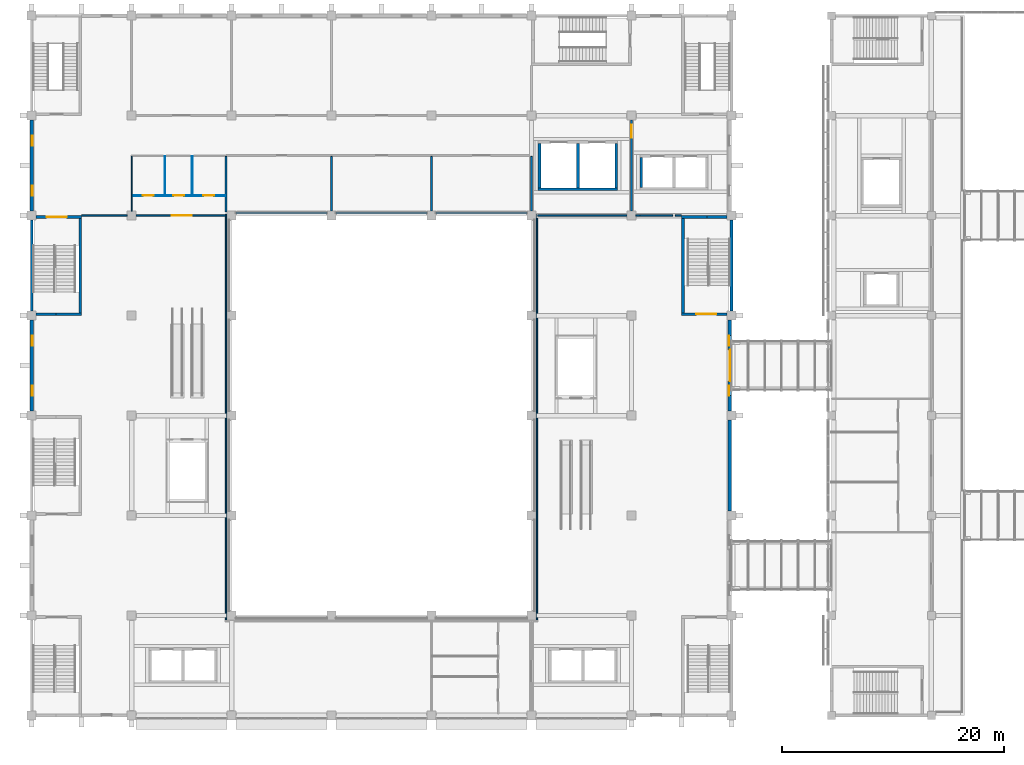
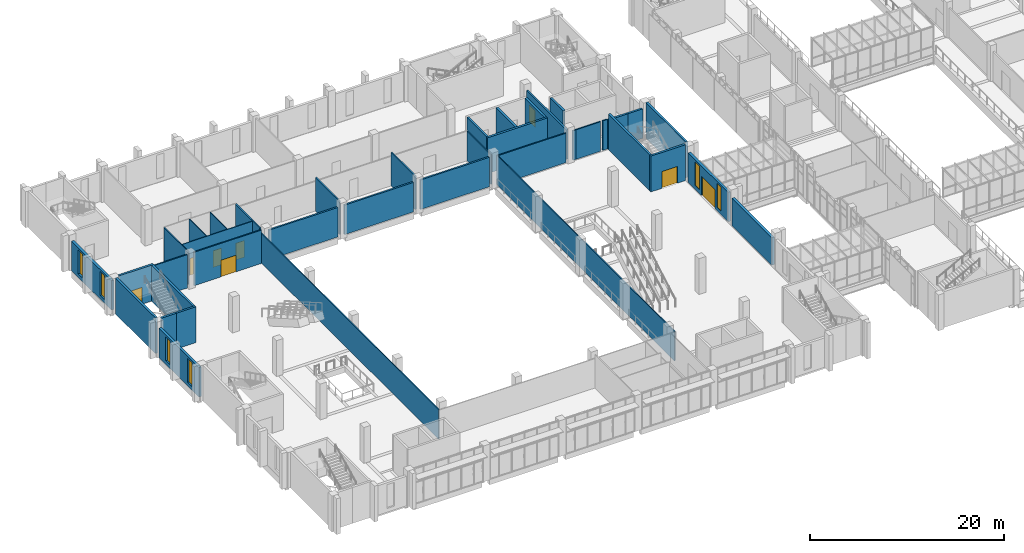
# One storey, part 72 of 106: 39 walls, 8 doors, 6 windows, 14 openings.
"""IFC4 building model written with IfcOpenShell, lengths in metres."""

from ifc_helpers import new_model, si_unit, direction, frame, frame_2d, origin, place, context, subcontext, project, spatial, rectangle, extrude, material, layer, layer_set, type_object, element, fill, save


model = new_model("IFC4")

# Units and contexts
model_context = context("Model", 3, precision=1e-05, world=origin(), true_north=direction((0.0, 1.0)))
body_context = subcontext(model_context, "Body", "Model", "MODEL_VIEW")
ifc_project = project(units=[si_unit("LENGTHUNIT", "METRE"), si_unit("AREAUNIT", "SQUARE_METRE"), si_unit("VOLUMEUNIT", "CUBIC_METRE"), si_unit("PLANEANGLEUNIT", "RADIAN"), si_unit("MASSUNIT", "GRAM", prefix="KILO")], contexts=[model_context])

# Site, building, storey
site_placement = place(None, origin())
site = spatial("IfcSite", under=ifc_project, at=site_placement, CompositionType="ELEMENT")
building_placement = place(site_placement, origin())
building = spatial("IfcBuilding", under=site, at=building_placement, Name="Guidao Yard Department Store", CompositionType="ELEMENT")
storey_placement = place(building_placement, frame((0.0, 0.0, 10.5)))
storey = spatial("IfcBuildingStorey", under=building, at=storey_placement, Name="L02", CompositionType="ELEMENT", Elevation=10.5)

# Wall, openings, doors
ifc_material_1 = material(Name="Moisture-resistant board on Steel Q235 studs", Category="steel")
ifc_layer_1 = layer(ifc_material_1, 0.080078125)
ifc_layer_set_1 = layer_set([ifc_layer_1], Name="Cubicle and Duct Partition P8 80 mm moisture-resistant board")
wall_type_1 = type_object("IfcWallType", Name="Cubicle and Duct Partition P8 80 mm moisture-resistant board", PredefinedType="PARTITIONING", material=ifc_layer_set_1)
wall_1_placement = place(storey_placement, frame((9.050048828125, 91.800048828125, 0.0), z_axis=(0.0, 0.0, 1.0), x_axis=(1.0, 0.0, 0.0)))
wall_1 = element("IfcWall", 1, at=wall_1_placement, inside=storey, type_object=wall_type_1, Name="Wall W-HL02-024", PredefinedType="PARTITIONING", context=body_context, shape_type="SweptSolid", body=[
    extrude(rectangle(XDim=8.375, YDim=0.080078125, at=frame_2d((4.1875, 0.0))), origin(), (0.0, 0.0, 1.0), 4.199951171875),
])
opening_1_placement = place(wall_1_placement, frame((0.949951171875, 0.0, 0.0)))
opening_1 = element("IfcOpeningElement", 2, at=opening_1_placement, cuts=wall_1, Name="Opening HL02-006", PredefinedType="OPENING", context=body_context, shape_type="SweptSolid", body=[
    extrude(rectangle(XDim=1.0, YDim=2.10009765625, at=frame_2d((0.5, 1.050048828125))), frame((0.0, 0.050048828125, 0.0), z_axis=(0.0, -1.0, 0.0), x_axis=(1.0, 0.0, 0.0)), (0.0, 0.0, 1.0), 0.10009765625),
])
opening_2_placement = place(wall_1_placement, frame((3.675048828125, 0.0, 0.0)))
opening_2 = element("IfcOpeningElement", 3, at=opening_2_placement, cuts=wall_1, Name="Opening HL02-007", PredefinedType="OPENING", context=body_context, shape_type="SweptSolid", body=[
    extrude(rectangle(XDim=1.0, YDim=2.10009765625, at=frame_2d((0.5, 1.050048828125))), frame((0.0, 0.050048828125, 0.0), z_axis=(0.0, -1.0, 0.0), x_axis=(1.0, 0.0, 0.0)), (0.0, 0.0, 1.0), 0.10009765625),
])
opening_3_placement = place(wall_1_placement, frame((6.39990234375, 0.0, 0.0)))
opening_3 = element("IfcOpeningElement", 4, at=opening_3_placement, cuts=wall_1, Name="Opening HL02-008", PredefinedType="OPENING", context=body_context, shape_type="SweptSolid", body=[
    extrude(rectangle(XDim=1.0, YDim=2.10009765625, at=frame_2d((0.5, 1.050048828125))), frame((0.0, 0.050048828125, 0.0), z_axis=(0.0, -1.0, 0.0), x_axis=(1.0, 0.0, 0.0)), (0.0, 0.0, 1.0), 0.10009765625),
])
ifc_material_2 = material(Name="Timber door leaf", Category="wood")
door_type_1 = type_object("IfcDoorType", Name="Door AD10 accessible WC 1000 x 2100", OperationType="SINGLE_SWING_LEFT", PredefinedType="DOOR", material=ifc_material_2)
door_1_placement = place(opening_2_placement, origin())
door_1 = element("IfcDoor", 5, at=door_1_placement, inside=storey, type_object=door_type_1, Name="Door HL02-007", OperationType="SINGLE_SWING_RIGHT", OverallHeight=2.10009765625, OverallWidth=1.0, PredefinedType="DOOR", context=body_context, shape_type="SweptSolid", body=[
    extrude(rectangle(XDim=1.0, YDim=2.10009765625, at=frame_2d((0.5, 1.050048828125))), frame((0.0, 0.02490234375, 0.0), z_axis=(0.0, -1.0, 0.0), x_axis=(1.0, 0.0, 0.0)), (0.0, 0.0, 1.0), 0.050048828125),
])
fill(opening_2, door_1)
ifc_material_3 = material(Name="Timber door leaf", Category="wood")
door_type_2 = type_object("IfcDoorType", Name="Door D2 1000 x 2100", OperationType="SINGLE_SWING_LEFT", PredefinedType="DOOR", material=ifc_material_3)
door_2_placement = place(opening_1_placement, origin())
door_2 = element("IfcDoor", 6, at=door_2_placement, inside=storey, type_object=door_type_2, Name="Door HL02-006", OperationType="SINGLE_SWING_LEFT", OverallHeight=2.10009765625, OverallWidth=1.0, PredefinedType="DOOR", context=body_context, shape_type="SweptSolid", body=[
    extrude(rectangle(XDim=1.0, YDim=2.10009765625, at=frame_2d((0.5, 1.050048828125))), frame((0.0, 0.02490234375, 0.0), z_axis=(0.0, -1.0, 0.0), x_axis=(1.0, 0.0, 0.0)), (0.0, 0.0, 1.0), 0.050048828125),
])
fill(opening_1, door_2)
door_3_placement = place(opening_3_placement, origin())
door_3 = element("IfcDoor", 7, at=door_3_placement, inside=storey, type_object=door_type_2, Name="Door HL02-008", OperationType="SINGLE_SWING_RIGHT", OverallHeight=2.10009765625, OverallWidth=1.0, PredefinedType="DOOR", context=body_context, shape_type="SweptSolid", body=[
    extrude(rectangle(XDim=1.0, YDim=2.10009765625, at=frame_2d((0.5, 1.050048828125))), frame((0.0, 0.02490234375, 0.0), z_axis=(0.0, -1.0, 0.0), x_axis=(1.0, 0.0, 0.0)), (0.0, 0.0, 1.0), 0.050048828125),
])
fill(opening_3, door_3)

# Walls
for number, where, z_axis, x_axis, name in (
    (8, (12.0, 91.840087890625, 0.0), (0.0, 0.0, 1.0), (0.0, 1.0, 0.0), "Wall W-HL02-025"),
    (9, (14.449951171875, 91.840087890625, 0.0), (0.0, 0.0, 1.0), (0.0, 1.0, 0.0), "Wall W-HL02-026"),
):
    element("IfcWall", number, at=place(storey_placement, frame(where, z_axis=z_axis, x_axis=x_axis)), inside=storey, type_object=wall_type_1, Name=name, PredefinedType="PARTITIONING", context=body_context, shape_type="SweptSolid", body=[
        extrude(rectangle(XDim=3.510009765625, YDim=0.080078125, at=frame_2d((1.7548828125, 0.0))), origin(), (0.0, 0.0, 1.0), 4.199951171875),
    ])
ifc_material_4 = material(Name="Concrete block MU10", Category="concrete")
ifc_layer_2 = layer(ifc_material_4, 0.199951171875)
ifc_layer_set_2 = layer_set([ifc_layer_2], Name="Fire Wall P3 200 mm blockwork EI 120")
wall_type_2 = type_object("IfcWallType", Name="Fire Wall P3 200 mm blockwork EI 120", PredefinedType="PARTITIONING", material=ifc_layer_set_2)
for number, where, z_axis, x_axis, name in (
    (10, (18.39990234375, 90.22509765625, 0.0), (0.0, 0.0, 1.0), (1.0, 0.0, 0.0), "Wall W-HL02-015"),
    (11, (27.39990234375, 90.22509765625, 0.0), (0.0, 0.0, 1.0), (1.0, 0.0, 0.0), "Wall W-HL02-016"),
    (12, (36.39990234375, 90.22509765625, 0.0), (0.0, 0.0, 1.0), (1.0, 0.0, 0.0), "Wall W-HL02-017"),
):
    element("IfcWall", number, at=place(storey_placement, frame(where, z_axis=z_axis, x_axis=x_axis)), inside=storey, type_object=wall_type_2, Name=name, PredefinedType="PARTITIONING", context=body_context, shape_type="SweptSolid", body=[
        extrude(rectangle(XDim=8.2001953125, YDim=0.199951171875, at=frame_2d((4.10009765625, 0.0))), origin(), (0.0, 0.0, 1.0), 3.699951171875),
    ])

# Wall, opening, door
wall_2_placement = place(storey_placement, frame((54.0, 90.39990234375, 0.0), z_axis=(0.0, 0.0, 1.0), x_axis=(0.0, 1.0, 0.0)))
wall_2 = element("IfcWall", 13, at=wall_2_placement, inside=storey, type_object=wall_type_2, Name="Wall W-HL02-023", PredefinedType="PARTITIONING", context=body_context, shape_type="SweptSolid", body=[
    extrude(rectangle(XDim=8.2001953125, YDim=0.199951171875, at=frame_2d((4.10009765625, 0.0))), origin(), (0.0, 0.0, 1.0), 3.699951171875),
])
opening_4_placement = place(wall_2_placement, frame((7.800048828125, 0.0, 0.0), z_axis=(0.0, 0.0, 1.0), x_axis=(-1.0, 0.0, 0.0)))
opening_4 = element("IfcOpeningElement", 14, at=opening_4_placement, cuts=wall_2, Name="Opening HL02-012", PredefinedType="OPENING", context=body_context, shape_type="SweptSolid", body=[
    extrude(rectangle(XDim=1.199951171875, YDim=2.10009765625, at=frame_2d((0.60009765625, 1.050048828125))), frame((0.0, 0.10986328125, 0.0), z_axis=(0.0, -1.0, 0.0), x_axis=(1.0, 0.0, 0.0)), (0.0, 0.0, 1.0), 0.219970703125),
])
ifc_material_5 = material(Name="Steel Q235", Category="steel")
door_type_3 = type_object("IfcDoorType", Name="Door FD21 lobby 1200 x 2100 FD90 self-closing", OperationType="SINGLE_SWING_LEFT", PredefinedType="DOOR", material=ifc_material_5)
door_4_placement = place(opening_4_placement, origin())
door_4 = element("IfcDoor", 15, at=door_4_placement, inside=storey, type_object=door_type_3, Name="Door HL02-012", OperationType="SINGLE_SWING_LEFT", OverallHeight=2.10009765625, OverallWidth=1.199951171875, PredefinedType="DOOR", context=body_context, shape_type="SweptSolid", body=[
    extrude(rectangle(XDim=1.199951171875, YDim=2.10009765625, at=frame_2d((0.60009765625, 1.050048828125))), frame((0.0, 0.02490234375, 0.0), z_axis=(0.0, -1.0, 0.0), x_axis=(1.0, 0.0, 0.0)), (0.0, 0.0, 1.0), 0.050048828125),
])
fill(opening_4, door_4)

# Walls
ifc_material_6 = material(Name="Fire-rated glazing in Steel Q235 frame", Category="steel")
ifc_layer_3 = layer(ifc_material_6, 0.1201171875)
ifc_layer_set_3 = layer_set([ifc_layer_3], Name="Fire-Glazed Screen P5 120 mm EI 60")
wall_type_3 = type_object("IfcWallType", Name="Fire-Glazed Screen P5 120 mm EI 60", PredefinedType="PARTITIONING", material=ifc_layer_set_3)
for number, where, z_axis, x_axis, name in (
    (16, (17.5, 53.56005859375, 0.0), (0.0, 0.0, 1.0), (0.0, 1.0, 0.0), "Wall W-HL02-007"),
    (17, (45.5, 53.56005859375, 0.0), (0.0, 0.0, 1.0), (0.0, 1.0, 0.0), "Wall W-HL02-008"),
):
    element("IfcWall", number, at=place(storey_placement, frame(where, z_axis=z_axis, x_axis=x_axis)), inside=storey, type_object=wall_type_3, Name=name, PredefinedType="PARTITIONING", context=body_context, shape_type="SweptSolid", body=[
        extrude(rectangle(XDim=36.56494140625, YDim=0.1201171875, at=frame_2d((18.282470703125, 0.0))), origin(), (0.0, 0.0, 1.0), 3.699951171875),
    ])

# Wall, openings, windows
ifc_material_7 = material(Name="Concrete C35", Category="concrete")
ifc_layer_4 = layer(ifc_material_7, 0.300048828125)
ifc_layer_set_4 = layer_set([ifc_layer_4], Name="Hall facade wall 300 C35")
wall_type_4 = type_object("IfcWallType", Name="Hall facade wall 300 C35", PredefinedType="SOLIDWALL", material=ifc_layer_set_4)
wall_3_placement = place(storey_placement, frame((0.0, 72.39990234375, 0.0), z_axis=(0.0, 0.0, 1.0), x_axis=(0.0, 1.0, 0.0)))
wall_3 = element("IfcWall", 18, at=wall_3_placement, inside=storey, type_object=wall_type_4, Name="Hall facade wall", PredefinedType="SOLIDWALL", context=body_context, shape_type="SweptSolid", body=[
    extrude(rectangle(XDim=8.2001953125, YDim=0.300048828125, at=frame_2d((4.10009765625, 0.0))), origin(), (0.0, 0.0, 1.0), 3.699951171875),
])
opening_5_placement = place(wall_3_placement, frame((1.39990234375, 0.0, 0.449951171875)))
opening_5 = element("IfcOpeningElement", 19, at=opening_5_placement, cuts=wall_3, Name="Opening WN-L02-E05", PredefinedType="OPENING", context=body_context, shape_type="SweptSolid", body=[
    extrude(rectangle(XDim=0.89990234375, YDim=3.0, at=frame_2d((0.449951171875, 1.5))), frame((0.0, 0.159912109375, 0.0), z_axis=(0.0, -1.0, 0.0), x_axis=(1.0, 0.0, 0.0)), (0.0, 0.0, 1.0), 0.320068359375),
])
opening_6_placement = place(wall_3_placement, frame((5.89990234375, 0.0, 0.449951171875)))
opening_6 = element("IfcOpeningElement", 20, at=opening_6_placement, cuts=wall_3, Name="Opening WN-L02-E06", PredefinedType="OPENING", context=body_context, shape_type="SweptSolid", body=[
    extrude(rectangle(XDim=0.89990234375, YDim=3.0, at=frame_2d((0.449951171875, 1.5))), frame((0.0, 0.159912109375, 0.0), z_axis=(0.0, -1.0, 0.0), x_axis=(1.0, 0.0, 0.0)), (0.0, 0.0, 1.0), 0.320068359375),
])
ifc_material_8 = material(Name="Laminated glass in aluminium frame", Category="aluminium")
window_type = type_object("IfcWindowType", Name="Slot window SL1 900 x 3000 fixed", PartitioningType="SINGLE_PANEL", PredefinedType="WINDOW", material=ifc_material_8)
window_1_placement = place(opening_5_placement, origin())
window_1 = element("IfcWindow", 21, at=window_1_placement, inside=storey, type_object=window_type, Name="Slot window", OverallHeight=3.0, OverallWidth=0.89990234375, PartitioningType="SINGLE_PANEL", PredefinedType="WINDOW", context=body_context, shape_type="SweptSolid", body=[
    extrude(rectangle(XDim=0.89990234375, YDim=3.0, at=frame_2d((0.449951171875, 1.5))), frame((0.0, -0.030029296875, 0.0), z_axis=(0.0, -1.0, 0.0), x_axis=(1.0, 0.0, 0.0)), (0.0, 0.0, 1.0), 0.06005859375),
])
fill(opening_5, window_1)
window_2_placement = place(opening_6_placement, origin())
window_2 = element("IfcWindow", 22, at=window_2_placement, inside=storey, type_object=window_type, Name="Slot window", OverallHeight=3.0, OverallWidth=0.89990234375, PartitioningType="SINGLE_PANEL", PredefinedType="WINDOW", context=body_context, shape_type="SweptSolid", body=[
    extrude(rectangle(XDim=0.89990234375, YDim=3.0, at=frame_2d((0.449951171875, 1.5))), frame((0.0, -0.030029296875, 0.0), z_axis=(0.0, -1.0, 0.0), x_axis=(1.0, 0.0, 0.0)), (0.0, 0.0, 1.0), 0.06005859375),
])
fill(opening_6, window_2)

wall_4_placement = place(storey_placement, frame((0.0, 90.39990234375, 0.0), z_axis=(0.0, 0.0, 1.0), x_axis=(0.0, 1.0, 0.0)))
wall_4 = element("IfcWall", 23, at=wall_4_placement, inside=storey, type_object=wall_type_4, Name="Hall facade wall", PredefinedType="SOLIDWALL", context=body_context, shape_type="SweptSolid", body=[
    extrude(rectangle(XDim=8.2001953125, YDim=0.300048828125, at=frame_2d((4.10009765625, 0.0))), origin(), (0.0, 0.0, 1.0), 3.699951171875),
])
opening_7_placement = place(wall_4_placement, frame((1.39990234375, 0.0, 0.449951171875)))
opening_7 = element("IfcOpeningElement", 24, at=opening_7_placement, cuts=wall_4, Name="Opening WN-L02-E07", PredefinedType="OPENING", context=body_context, shape_type="SweptSolid", body=[
    extrude(rectangle(XDim=0.89990234375, YDim=3.0, at=frame_2d((0.449951171875, 1.5))), frame((0.0, 0.159912109375, 0.0), z_axis=(0.0, -1.0, 0.0), x_axis=(1.0, 0.0, 0.0)), (0.0, 0.0, 1.0), 0.320068359375),
])
opening_8_placement = place(wall_4_placement, frame((5.89990234375, 0.0, 0.449951171875)))
opening_8 = element("IfcOpeningElement", 25, at=opening_8_placement, cuts=wall_4, Name="Opening WN-L02-E08", PredefinedType="OPENING", context=body_context, shape_type="SweptSolid", body=[
    extrude(rectangle(XDim=0.89990234375, YDim=3.0, at=frame_2d((0.449951171875, 1.5))), frame((0.0, 0.159912109375, 0.0), z_axis=(0.0, -1.0, 0.0), x_axis=(1.0, 0.0, 0.0)), (0.0, 0.0, 1.0), 0.320068359375),
])
window_3_placement = place(opening_7_placement, origin())
window_3 = element("IfcWindow", 26, at=window_3_placement, inside=storey, type_object=window_type, Name="Slot window", OverallHeight=3.0, OverallWidth=0.89990234375, PartitioningType="SINGLE_PANEL", PredefinedType="WINDOW", context=body_context, shape_type="SweptSolid", body=[
    extrude(rectangle(XDim=0.89990234375, YDim=3.0, at=frame_2d((0.449951171875, 1.5))), frame((0.0, -0.030029296875, 0.0), z_axis=(0.0, -1.0, 0.0), x_axis=(1.0, 0.0, 0.0)), (0.0, 0.0, 1.0), 0.06005859375),
])
fill(opening_7, window_3)
window_4_placement = place(opening_8_placement, origin())
window_4 = element("IfcWindow", 27, at=window_4_placement, inside=storey, type_object=window_type, Name="Slot window", OverallHeight=3.0, OverallWidth=0.89990234375, PartitioningType="SINGLE_PANEL", PredefinedType="WINDOW", context=body_context, shape_type="SweptSolid", body=[
    extrude(rectangle(XDim=0.89990234375, YDim=3.0, at=frame_2d((0.449951171875, 1.5))), frame((0.0, -0.030029296875, 0.0), z_axis=(0.0, -1.0, 0.0), x_axis=(1.0, 0.0, 0.0)), (0.0, 0.0, 1.0), 0.06005859375),
])
fill(opening_8, window_4)

# Wall
wall_5_placement = place(storey_placement, frame((62.85009765625, 71.60009765625, 0.0), z_axis=(0.0, 0.0, 1.0), x_axis=(0.0, -1.0, 0.0)))
element("IfcWall", 28, at=wall_5_placement, inside=storey, type_object=wall_type_4, Name="Hall facade wall", PredefinedType="SOLIDWALL", context=body_context, shape_type="SweptSolid", body=[
    extrude(rectangle(XDim=8.2001953125, YDim=0.300048828125, at=frame_2d((4.10009765625, 0.0))), origin(), (0.0, 0.0, 1.0), 3.449951171875),
])

# Wall, openings, door, windows
wall_6_placement = place(storey_placement, frame((62.85009765625, 80.60009765625, 0.0), z_axis=(0.0, 0.0, 1.0), x_axis=(0.0, -1.0, 0.0)))
wall_6 = element("IfcWall", 29, at=wall_6_placement, inside=storey, type_object=wall_type_4, Name="Hall facade wall", PredefinedType="SOLIDWALL", context=body_context, shape_type="SweptSolid", body=[
    extrude(rectangle(XDim=8.2001953125, YDim=0.300048828125, at=frame_2d((4.10009765625, 0.0))), origin(), (0.0, 0.0, 1.0), 3.699951171875),
])
opening_9_placement = place(wall_6_placement, frame((2.699951171875, 0.0, 0.0)))
opening_9 = element("IfcOpeningElement", 30, at=opening_9_placement, cuts=wall_6, Name="Opening L02-851", PredefinedType="OPENING", context=body_context, shape_type="SweptSolid", body=[
    extrude(rectangle(XDim=2.800048828125, YDim=2.39990234375, at=frame_2d((1.39990234375, 1.199951171875))), frame((0.0, 0.159912109375, 0.0), z_axis=(0.0, -1.0, 0.0), x_axis=(1.0, 0.0, 0.0)), (0.0, 0.0, 1.0), 0.320068359375),
])
opening_10_placement = place(wall_6_placement, frame((5.89990234375, 0.0, 0.449951171875)))
opening_10 = element("IfcOpeningElement", 31, at=opening_10_placement, cuts=wall_6, Name="Opening WN-L02-E21", PredefinedType="OPENING", context=body_context, shape_type="SweptSolid", body=[
    extrude(rectangle(XDim=0.89990234375, YDim=3.0, at=frame_2d((0.449951171875, 1.5))), frame((0.0, 0.159912109375, 0.0), z_axis=(0.0, -1.0, 0.0), x_axis=(1.0, 0.0, 0.0)), (0.0, 0.0, 1.0), 0.320068359375),
])
opening_11_placement = place(wall_6_placement, frame((1.39990234375, 0.0, 0.449951171875)))
opening_11 = element("IfcOpeningElement", 32, at=opening_11_placement, cuts=wall_6, Name="Opening WN-L02-E22", PredefinedType="OPENING", context=body_context, shape_type="SweptSolid", body=[
    extrude(rectangle(XDim=0.89990234375, YDim=3.0, at=frame_2d((0.449951171875, 1.5))), frame((0.0, 0.159912109375, 0.0), z_axis=(0.0, -1.0, 0.0), x_axis=(1.0, 0.0, 0.0)), (0.0, 0.0, 1.0), 0.320068359375),
])
ifc_material_9 = material(Name="Fire-resistant glass in steel frame", Category="steel")
door_type_4 = type_object("IfcDoorType", Name="Bridge door BD1 2800 x 2400 fire-rated glazed double leaf", OperationType="DOUBLE_DOOR_SINGLE_SWING", PredefinedType="DOOR", material=ifc_material_9)
door_5_placement = place(opening_9_placement, origin())
door_5 = element("IfcDoor", 33, at=door_5_placement, inside=storey, type_object=door_type_4, Name="Bridge door BR04", OperationType="DOUBLE_DOOR_SINGLE_SWING", OverallHeight=2.39990234375, OverallWidth=2.800048828125, PredefinedType="DOOR", context=body_context, shape_type="SweptSolid", body=[
    extrude(rectangle(XDim=2.800048828125, YDim=2.39990234375, at=frame_2d((1.39990234375, 1.199951171875))), frame((0.0, 0.02490234375, 0.0), z_axis=(0.0, -1.0, 0.0), x_axis=(1.0, 0.0, 0.0)), (0.0, 0.0, 1.0), 0.050048828125),
])
fill(opening_9, door_5)
window_5_placement = place(opening_10_placement, origin())
window_5 = element("IfcWindow", 34, at=window_5_placement, inside=storey, type_object=window_type, Name="Slot window", OverallHeight=3.0, OverallWidth=0.89990234375, PartitioningType="SINGLE_PANEL", PredefinedType="WINDOW", context=body_context, shape_type="SweptSolid", body=[
    extrude(rectangle(XDim=0.89990234375, YDim=3.0, at=frame_2d((0.449951171875, 1.5))), frame((0.0, -0.030029296875, 0.0), z_axis=(0.0, -1.0, 0.0), x_axis=(1.0, 0.0, 0.0)), (0.0, 0.0, 1.0), 0.06005859375),
])
fill(opening_10, window_5)
window_6_placement = place(opening_11_placement, origin())
window_6 = element("IfcWindow", 35, at=window_6_placement, inside=storey, type_object=window_type, Name="Slot window", OverallHeight=3.0, OverallWidth=0.89990234375, PartitioningType="SINGLE_PANEL", PredefinedType="WINDOW", context=body_context, shape_type="SweptSolid", body=[
    extrude(rectangle(XDim=0.89990234375, YDim=3.0, at=frame_2d((0.449951171875, 1.5))), frame((0.0, -0.030029296875, 0.0), z_axis=(0.0, -1.0, 0.0), x_axis=(1.0, 0.0, 0.0)), (0.0, 0.0, 1.0), 0.06005859375),
])
fill(opening_11, window_6)

# Walls
ifc_material_10 = material(Name="Gypsum board on Steel Q235 studs", Category="steel")
ifc_layer_5 = layer(ifc_material_10, 0.10009765625)
ifc_layer_set_5 = layer_set([ifc_layer_5], Name="Partition P1 100 mm gypsum board EI 30")
wall_type_5 = type_object("IfcWallType", Name="Partition P1 100 mm gypsum board EI 30", PredefinedType="PARTITIONING", material=ifc_layer_set_5)
wall_7_placement = place(storey_placement, frame((9.0, 90.39990234375, 0.0), z_axis=(0.0, 0.0, 1.0), x_axis=(0.0, 1.0, 0.0)))
element("IfcWall", 36, at=wall_7_placement, inside=storey, type_object=wall_type_5, Name="Wall W-HL02-019", PredefinedType="PARTITIONING", context=body_context, shape_type="SweptSolid", body=[
    extrude(rectangle(XDim=4.9501953125, YDim=0.10009765625, at=frame_2d((2.47509765625, 0.0))), origin(), (0.0, 0.0, 1.0), 4.199951171875),
])
ifc_material_11 = material(Name="Concrete block MU10", Category="concrete")
ifc_layer_6 = layer(ifc_material_11, 0.14990234375)
ifc_layer_set_6 = layer_set([ifc_layer_6], Name="Wall P2 150 mm blockwork EI 60")
wall_type_6 = type_object("IfcWallType", Name="Wall P2 150 mm blockwork EI 60", PredefinedType="PARTITIONING", material=ifc_layer_set_6)
wall_8_placement = place(storey_placement, frame((4.5, 90.0, 0.0), z_axis=(0.0, 0.0, 1.0), x_axis=(1.0, 0.0, 0.0)))
element("IfcWall", 37, at=wall_8_placement, inside=storey, type_object=wall_type_6, Name="Wall W-HL02-009", PredefinedType="PARTITIONING", context=body_context, shape_type="SweptSolid", body=[
    extrude(rectangle(XDim=4.10009765625, YDim=0.14990234375, at=frame_2d((2.050048828125, 0.0))), origin(), (0.0, 0.0, 1.0), 4.199951171875),
])

# Wall, opening, door
wall_9_placement = place(storey_placement, frame((9.39990234375, 90.0, 0.0), z_axis=(0.0, 0.0, 1.0), x_axis=(1.0, 0.0, 0.0)))
wall_9 = element("IfcWall", 38, at=wall_9_placement, inside=storey, type_object=wall_type_6, Name="Wall W-HL02-010", PredefinedType="PARTITIONING", context=body_context, shape_type="SweptSolid", body=[
    extrude(rectangle(XDim=8.0400390625, YDim=0.14990234375, at=frame_2d((4.02001953125, 0.0))), origin(), (0.0, 0.0, 1.0), 4.199951171875),
])
opening_12_placement = place(wall_9_placement, frame((5.0, 0.0, 0.0), z_axis=(0.0, 0.0, 1.0), x_axis=(-1.0, 0.0, 0.0)))
opening_12 = element("IfcOpeningElement", 39, at=opening_12_placement, cuts=wall_9, Name="Opening HL02-005", PredefinedType="OPENING", context=body_context, shape_type="SweptSolid", body=[
    extrude(rectangle(XDim=1.800048828125, YDim=2.10009765625, at=frame_2d((0.89990234375, 1.050048828125))), frame((0.0, 0.0849609375, 0.0), z_axis=(0.0, -1.0, 0.0), x_axis=(1.0, 0.0, 0.0)), (0.0, 0.0, 1.0), 0.169921875),
])
ifc_material_12 = material(Name="Timber door leaf", Category="wood")
door_type_5 = type_object("IfcDoorType", Name="Door D3 double 1800 x 2100", OperationType="DOUBLE_DOOR_SINGLE_SWING", PredefinedType="DOOR", material=ifc_material_12)
door_6_placement = place(opening_12_placement, origin())
door_6 = element("IfcDoor", 40, at=door_6_placement, inside=storey, type_object=door_type_5, Name="Door HL02-005", OperationType="DOUBLE_DOOR_SINGLE_SWING", OverallHeight=2.10009765625, OverallWidth=1.800048828125, PredefinedType="DOOR", context=body_context, shape_type="SweptSolid", body=[
    extrude(rectangle(XDim=1.800048828125, YDim=2.10009765625, at=frame_2d((0.89990234375, 1.050048828125))), frame((0.0, 0.02490234375, 0.0), z_axis=(0.0, -1.0, 0.0), x_axis=(1.0, 0.0, 0.0)), (0.0, 0.0, 1.0), 0.050048828125),
])
fill(opening_12, door_6)

# Walls
wall_10_placement = place(storey_placement, frame((45.56005859375, 90.0, 0.0), z_axis=(0.0, 0.0, 1.0), x_axis=(1.0, 0.0, 0.0)))
element("IfcWall", 41, at=wall_10_placement, inside=storey, type_object=wall_type_6, Name="Wall W-HL02-011", PredefinedType="PARTITIONING", context=body_context, shape_type="SweptSolid", body=[
    extrude(rectangle(XDim=8.0400390625, YDim=0.14990234375, at=frame_2d((4.02001953125, 0.0))), origin(), (0.0, 0.0, 1.0), 3.699951171875),
])
wall_11_placement = place(storey_placement, frame((54.39990234375, 90.0, 0.0), z_axis=(0.0, 0.0, 1.0), x_axis=(1.0, 0.0, 0.0)))
element("IfcWall", 42, at=wall_11_placement, inside=storey, type_object=wall_type_6, Name="Wall W-HL02-012", PredefinedType="PARTITIONING", context=body_context, shape_type="SweptSolid", body=[
    extrude(rectangle(XDim=0.35009765625, YDim=0.14990234375, at=frame_2d((0.175048828125, 0.0))), origin(), (0.0, 0.0, 1.0), 3.699951171875),
])
wall_12_placement = place(storey_placement, frame((54.75, 90.0, 0.0), z_axis=(0.0, 0.0, 1.0), x_axis=(1.0, 0.0, 0.0)))
element("IfcWall", 43, at=wall_12_placement, inside=storey, type_object=wall_type_6, Name="Wall W-HL02-013", PredefinedType="PARTITIONING", context=body_context, shape_type="SweptSolid", body=[
    extrude(rectangle(XDim=2.949951171875, YDim=0.14990234375, at=frame_2d((1.47509765625, 0.0))), origin(), (0.0, 0.0, 1.0), 3.699951171875),
])
wall_13_placement = place(storey_placement, frame((57.949951171875, 90.0, 0.0), z_axis=(0.0, 0.0, 1.0), x_axis=(1.0, 0.0, 0.0)))
element("IfcWall", 44, at=wall_13_placement, inside=storey, type_object=wall_type_6, Name="Wall W-HL02-014", PredefinedType="PARTITIONING", context=body_context, shape_type="SweptSolid", body=[
    extrude(rectangle(XDim=0.550048828125, YDim=0.14990234375, at=frame_2d((0.27490234375, 0.0))), origin(), (0.0, 0.0, 1.0), 3.699951171875),
])
wall_14_placement = place(storey_placement, frame((17.5, 90.324951171875, 0.0), z_axis=(0.0, 0.0, 1.0), x_axis=(0.0, 1.0, 0.0)))
element("IfcWall", 45, at=wall_14_placement, inside=storey, type_object=wall_type_6, Name="Wall W-HL02-018", PredefinedType="PARTITIONING", context=body_context, shape_type="SweptSolid", body=[
    extrude(rectangle(XDim=5.0, YDim=0.14990234375, at=frame_2d((2.5, 0.0))), origin(), (0.0, 0.0, 1.0), 4.199951171875),
])
for number, where, z_axis, x_axis, name in (
    (46, (27.0, 90.39990234375, 0.0), (0.0, 0.0, 1.0), (0.0, 1.0, 0.0), "Wall W-HL02-020"),
    (47, (36.0, 90.39990234375, 0.0), (0.0, 0.0, 1.0), (0.0, 1.0, 0.0), "Wall W-HL02-021"),
):
    element("IfcWall", number, at=place(storey_placement, frame(where, z_axis=z_axis, x_axis=x_axis)), inside=storey, type_object=wall_type_6, Name=name, PredefinedType="PARTITIONING", context=body_context, shape_type="SweptSolid", body=[
        extrude(rectangle(XDim=4.925048828125, YDim=0.14990234375, at=frame_2d((2.46240234375, 0.0))), origin(), (0.0, 0.0, 1.0), 4.199951171875),
    ])
wall_15_placement = place(storey_placement, frame((45.0, 90.39990234375, 0.0), z_axis=(0.0, 0.0, 1.0), x_axis=(0.0, 1.0, 0.0)))
element("IfcWall", 48, at=wall_15_placement, inside=storey, type_object=wall_type_6, Name="Wall W-HL02-022", PredefinedType="PARTITIONING", context=body_context, shape_type="SweptSolid", body=[
    extrude(rectangle(XDim=4.925048828125, YDim=0.14990234375, at=frame_2d((2.46240234375, 0.0))), origin(), (0.0, 0.0, 1.0), 3.699951171875),
])
ifc_material_13 = material(Name="Concrete C40", Category="concrete")
ifc_layer_7 = layer(ifc_material_13, 0.25)
ifc_layer_set_7 = layer_set([ifc_layer_7], Name="Wall RC 250 C40 stair and shaft")
wall_type_7 = type_object("IfcWallType", Name="Wall RC 250 C40 stair and shaft", PredefinedType="SHEAR", material=ifc_layer_set_7)
wall_16_placement = place(storey_placement, frame((0.39990234375, 81.125, 0.0), z_axis=(0.0, 0.0, 1.0), x_axis=(1.0, 0.0, 0.0)))
element("IfcWall", 49, at=wall_16_placement, inside=storey, type_object=wall_type_7, Name="Stair wall SA3", PredefinedType="SHEAR", context=body_context, shape_type="SweptSolid", body=[
    extrude(rectangle(XDim=1.7880859375, YDim=0.25, at=frame_2d((0.89404296875, 0.0))), origin(), (0.0, 0.0, 1.0), 4.5),
])
wall_17_placement = place(storey_placement, frame((2.18798828125, 81.125, 0.0), z_axis=(0.0, 0.0, 1.0), x_axis=(1.0, 0.0, 0.0)))
element("IfcWall", 50, at=wall_17_placement, inside=storey, type_object=wall_type_7, Name="Stair wall SA3", PredefinedType="SHEAR", context=body_context, shape_type="SweptSolid", body=[
    extrude(rectangle(XDim=2.31201171875, YDim=0.25, at=frame_2d((1.156005859375, 0.0))), origin(), (0.0, 0.0, 1.0), 4.5),
])

# Wall, opening, door
wall_18_placement = place(storey_placement, frame((0.39990234375, 89.875, 0.0), z_axis=(0.0, 0.0, 1.0), x_axis=(1.0, 0.0, 0.0)))
wall_18 = element("IfcWall", 51, at=wall_18_placement, inside=storey, type_object=wall_type_7, Name="Stair wall SA3", PredefinedType="SHEAR", context=body_context, shape_type="SweptSolid", body=[
    extrude(rectangle(XDim=4.10009765625, YDim=0.25, at=frame_2d((2.050048828125, 0.0))), origin(), (0.0, 0.0, 1.0), 4.5),
])
opening_13_placement = place(wall_18_placement, frame((2.75, 0.0, 0.0), z_axis=(0.0, 0.0, 1.0), x_axis=(-1.0, 0.0, 0.0)))
opening_13 = element("IfcOpeningElement", 52, at=opening_13_placement, cuts=wall_18, Name="Opening L02-802", PredefinedType="OPENING", context=body_context, shape_type="SweptSolid", body=[
    extrude(rectangle(XDim=1.800048828125, YDim=2.10009765625, at=frame_2d((0.89990234375, 1.050048828125))), frame((0.0, 0.135009765625, 0.0), z_axis=(0.0, -1.0, 0.0), x_axis=(1.0, 0.0, 0.0)), (0.0, 0.0, 1.0), 0.27001953125),
])
ifc_material_14 = material(Name="Steel Q235", Category="steel")
door_type_6 = type_object("IfcDoorType", Name="Door fire-resisting 1800 x 2100 FD60", OperationType="DOUBLE_DOOR_SINGLE_SWING", PredefinedType="DOOR", material=ifc_material_14)
door_7_placement = place(opening_13_placement, origin())
door_7 = element("IfcDoor", 53, at=door_7_placement, inside=storey, type_object=door_type_6, Name="Stair A3 door L02", OperationType="DOUBLE_DOOR_SINGLE_SWING", OverallHeight=2.10009765625, OverallWidth=1.800048828125, PredefinedType="DOOR", context=body_context, shape_type="SweptSolid", body=[
    extrude(rectangle(XDim=1.800048828125, YDim=2.10009765625, at=frame_2d((0.89990234375, 1.050048828125))), frame((0.0, 0.02490234375, 0.0), z_axis=(0.0, -1.0, 0.0), x_axis=(1.0, 0.0, 0.0)), (0.0, 0.0, 1.0), 0.050048828125),
])
fill(opening_13, door_7)

# Walls
wall_19_placement = place(storey_placement, frame((0.0, 81.39990234375, 0.0), z_axis=(0.0, 0.0, 1.0), x_axis=(0.0, 1.0, 0.0)))
element("IfcWall", 54, at=wall_19_placement, inside=storey, type_object=wall_type_7, Name="Stair wall SA3", PredefinedType="SHEAR", context=body_context, shape_type="SweptSolid", body=[
    extrude(rectangle(XDim=8.2001953125, YDim=0.25, at=frame_2d((4.10009765625, 0.0))), origin(), (0.0, 0.0, 1.0), 4.5),
])
wall_20_placement = place(storey_placement, frame((4.375, 81.25, 0.0), z_axis=(0.0, 0.0, 1.0), x_axis=(0.0, 1.0, 0.0)))
element("IfcWall", 55, at=wall_20_placement, inside=storey, type_object=wall_type_7, Name="Stair wall SA3", PredefinedType="SHEAR", context=body_context, shape_type="SweptSolid", body=[
    extrude(rectangle(XDim=8.5, YDim=0.25, at=frame_2d((4.25, 0.0))), origin(), (0.0, 0.0, 1.0), 4.5),
])

# Wall, opening, door
wall_21_placement = place(storey_placement, frame((58.5, 81.125, 0.0), z_axis=(0.0, 0.0, 1.0), x_axis=(1.0, 0.0, 0.0)))
wall_21 = element("IfcWall", 56, at=wall_21_placement, inside=storey, type_object=wall_type_7, Name="Stair wall SA4", PredefinedType="SHEAR", context=body_context, shape_type="SweptSolid", body=[
    extrude(rectangle(XDim=4.10009765625, YDim=0.25, at=frame_2d((2.050048828125, 0.0))), origin(), (0.0, 0.0, 1.0), 4.5),
])
opening_14_placement = place(wall_21_placement, frame((1.35009765625, 0.0, 0.0)))
opening_14 = element("IfcOpeningElement", 57, at=opening_14_placement, cuts=wall_21, Name="Opening L02-803", PredefinedType="OPENING", context=body_context, shape_type="SweptSolid", body=[
    extrude(rectangle(XDim=1.800048828125, YDim=2.10009765625, at=frame_2d((0.89990234375, 1.050048828125))), frame((0.0, 0.135009765625, 0.0), z_axis=(0.0, -1.0, 0.0), x_axis=(1.0, 0.0, 0.0)), (0.0, 0.0, 1.0), 0.27001953125),
])
door_8_placement = place(opening_14_placement, origin())
door_8 = element("IfcDoor", 58, at=door_8_placement, inside=storey, type_object=door_type_6, Name="Stair A4 door L02", OperationType="DOUBLE_DOOR_SINGLE_SWING", OverallHeight=2.10009765625, OverallWidth=1.800048828125, PredefinedType="DOOR", context=body_context, shape_type="SweptSolid", body=[
    extrude(rectangle(XDim=1.800048828125, YDim=2.10009765625, at=frame_2d((0.89990234375, 1.050048828125))), frame((0.0, 0.02490234375, 0.0), z_axis=(0.0, -1.0, 0.0), x_axis=(1.0, 0.0, 0.0)), (0.0, 0.0, 1.0), 0.050048828125),
])
fill(opening_14, door_8)

# Walls
wall_22_placement = place(storey_placement, frame((58.5, 89.875, 0.0), z_axis=(0.0, 0.0, 1.0), x_axis=(1.0, 0.0, 0.0)))
element("IfcWall", 59, at=wall_22_placement, inside=storey, type_object=wall_type_7, Name="Stair wall SA4", PredefinedType="SHEAR", context=body_context, shape_type="SweptSolid", body=[
    extrude(rectangle(XDim=2.31201171875, YDim=0.25, at=frame_2d((1.156005859375, 0.0))), origin(), (0.0, 0.0, 1.0), 3.699951171875),
])
wall_23_placement = place(storey_placement, frame((60.81201171875, 89.875, 0.0), z_axis=(0.0, 0.0, 1.0), x_axis=(1.0, 0.0, 0.0)))
element("IfcWall", 60, at=wall_23_placement, inside=storey, type_object=wall_type_7, Name="Stair wall SA4", PredefinedType="SHEAR", context=body_context, shape_type="SweptSolid", body=[
    extrude(rectangle(XDim=1.7880859375, YDim=0.25, at=frame_2d((0.89404296875, 0.0))), origin(), (0.0, 0.0, 1.0), 3.699951171875),
])
wall_24_placement = place(storey_placement, frame((58.625, 81.25, 0.0), z_axis=(0.0, 0.0, 1.0), x_axis=(0.0, 1.0, 0.0)))
element("IfcWall", 61, at=wall_24_placement, inside=storey, type_object=wall_type_7, Name="Stair wall SA4", PredefinedType="SHEAR", context=body_context, shape_type="SweptSolid", body=[
    extrude(rectangle(XDim=8.5, YDim=0.25, at=frame_2d((4.25, 0.0))), origin(), (0.0, 0.0, 1.0), 4.5),
])
wall_25_placement = place(storey_placement, frame((63.0, 81.39990234375, 0.0), z_axis=(0.0, 0.0, 1.0), x_axis=(0.0, 1.0, 0.0)))
element("IfcWall", 62, at=wall_25_placement, inside=storey, type_object=wall_type_7, Name="Stair wall SA4", PredefinedType="SHEAR", context=body_context, shape_type="SweptSolid", body=[
    extrude(rectangle(XDim=8.2001953125, YDim=0.25, at=frame_2d((4.10009765625, 0.0))), origin(), (0.0, 0.0, 1.0), 4.5),
])
wall_26_placement = place(storey_placement, frame((45.60009765625, 92.375, 0.0), z_axis=(0.0, 0.0, 1.0), x_axis=(1.0, 0.0, 0.0)))
element("IfcWall", 63, at=wall_26_placement, inside=storey, type_object=wall_type_7, Name="Lift shaft wall HG1 to HG2", PredefinedType="SHEAR", context=body_context, shape_type="SweptSolid", body=[
    extrude(rectangle(XDim=7.14990234375, YDim=0.25, at=frame_2d((3.574951171875, 0.0))), origin(), (0.0, 0.0, 1.0), 4.5),
])
for number, where, z_axis, x_axis, name in (
    (64, (45.72509765625, 92.5, 0.0), (0.0, 0.0, 1.0), (0.0, 1.0, 0.0), "Lift shaft wall HG1 to HG2"),
    (65, (49.175048828125, 92.5, 0.0), (0.0, 0.0, 1.0), (0.0, 1.0, 0.0), "Lift shaft wall HG1 to HG2"),
    (66, (52.625, 92.5, 0.0), (0.0, 0.0, 1.0), (0.0, 1.0, 0.0), "Lift shaft wall HG1 to HG2"),
):
    element("IfcWall", number, at=place(storey_placement, frame(where, z_axis=z_axis, x_axis=x_axis)), inside=storey, type_object=wall_type_7, Name=name, PredefinedType="SHEAR", context=body_context, shape_type="SweptSolid", body=[
        extrude(rectangle(XDim=4.0, YDim=0.25, at=frame_2d((2.0, 0.0))), origin(), (0.0, 0.0, 1.0), 4.5),
    ])
wall_27_placement = place(storey_placement, frame((54.875, 92.550048828125, 0.0), z_axis=(0.0, 0.0, 1.0), x_axis=(0.0, 1.0, 0.0)))
element("IfcWall", 67, at=wall_27_placement, inside=storey, type_object=wall_type_7, Name="Lift shaft wall HF1 to HF2", PredefinedType="SHEAR", context=body_context, shape_type="SweptSolid", body=[
    extrude(rectangle(XDim=2.699951171875, YDim=0.25, at=frame_2d((1.35009765625, 0.0))), origin(), (0.0, 0.0, 1.0), 4.5),
])

save(model, "model.ifc")
